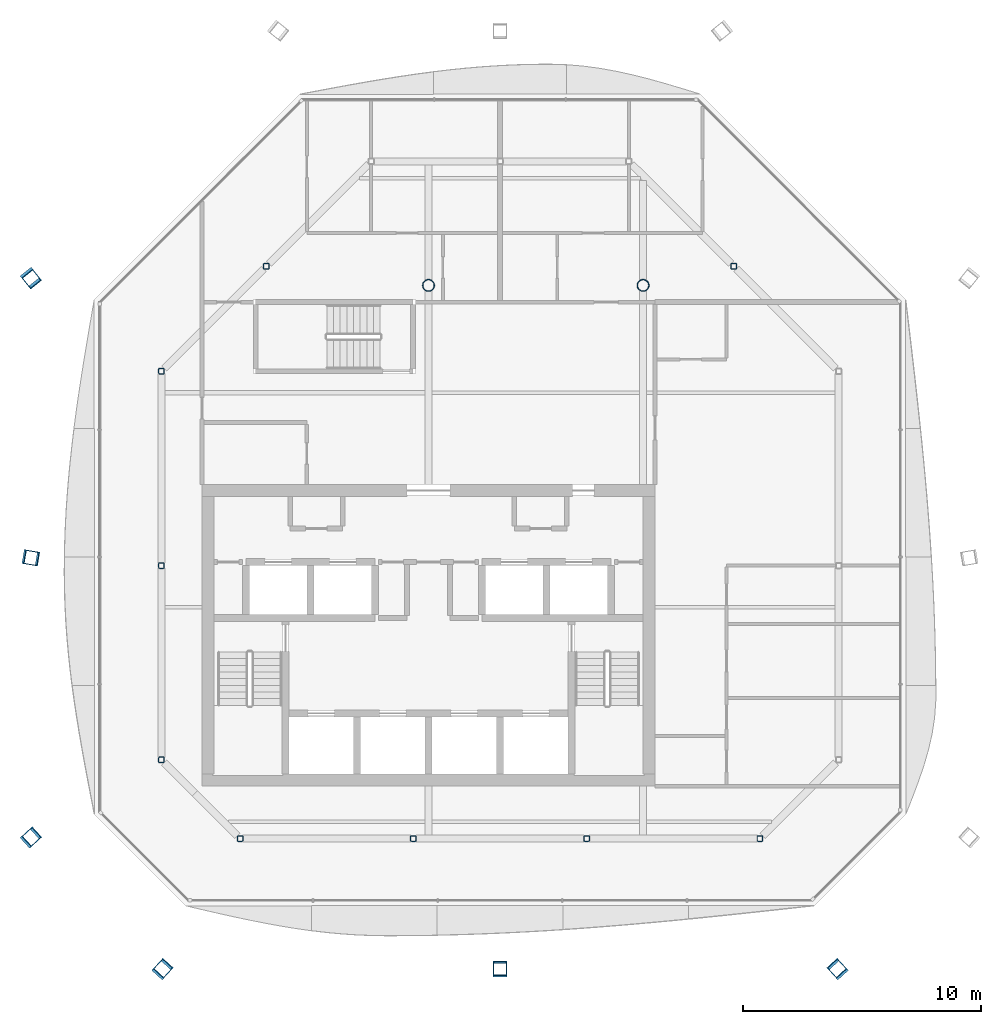
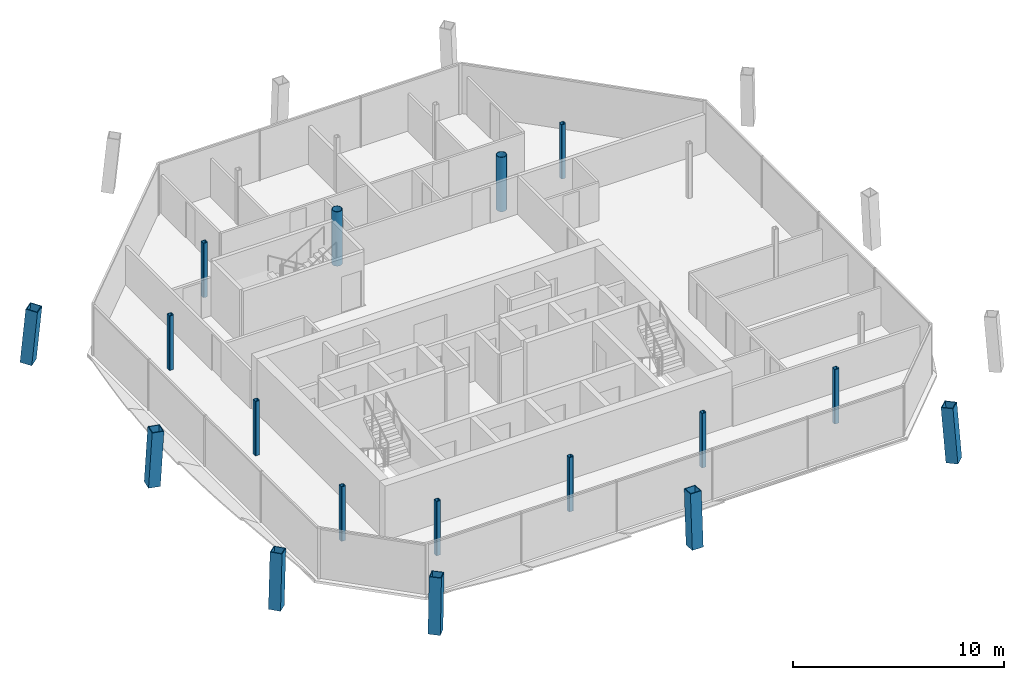
# One storey, part 1 of 16: 17 columns.
"""IFC4 building model written with IfcOpenShell, lengths in metres."""

from ifc_helpers import new_model, si_unit, direction, frame, origin, origin_2d, place, context, subcontext, project, spatial, hollow_rectangle, hollow_circle, extrude, material, material_profile, profile_set, type_object, element, save


model = new_model("IFC4")

# Units and contexts
model_context = context("Model", 3, precision=1e-05, world=origin(), true_north=direction((0.0, 1.0)))
body_context = subcontext(model_context, "Body", "Model", "MODEL_VIEW")
ifc_project = project(units=[si_unit("LENGTHUNIT", "METRE"), si_unit("AREAUNIT", "SQUARE_METRE"), si_unit("VOLUMEUNIT", "CUBIC_METRE"), si_unit("PLANEANGLEUNIT", "RADIAN"), si_unit("MASSUNIT", "GRAM", prefix="KILO")], contexts=[model_context])

# Site, building, storey
site_placement = place(None, origin())
site = spatial("IfcSite", under=ifc_project, at=site_placement, CompositionType="ELEMENT")
building_placement = place(site_placement, origin())
building = spatial("IfcBuilding", under=site, at=building_placement, Name="Tskaro Facet Tower", CompositionType="ELEMENT")
storey_placement = place(building_placement, frame((0.0, 0.0, 262.64990234375)))
storey = spatial("IfcBuildingStorey", under=building, at=storey_placement, Name="L69", CompositionType="ELEMENT", Elevation=262.64990234375)

# Columns
ifc_material_1 = material(Name="Steel S355J2", Category="steel")
ifc_material_profile_1 = material_profile(ifc_material_1, hollow_rectangle(XDim=0.60009765625, YDim=0.60009765625, WallThickness=0.0400390625, at=origin_2d()), Name="BOX 600x600x40")
ifc_profile_set_1 = profile_set([ifc_material_profile_1], Name="Steel S355J2")
column_type_1 = type_object("IfcColumnType", Name="BOX 600x600x40 mega column", PredefinedType="COLUMN", material=ifc_profile_set_1)
column_1_placement = place(storey_placement, frame((-11.18798828125, -19.7099609375, 0.0), z_axis=(0.052540625684, 0.057562891374, 0.996958372345), x_axis=(-0.73859280104, 0.674151818399, 0.0)))
element("IfcColumn", 1, at=column_1_placement, inside=storey, type_object=column_type_1, Name="BOX 600x600x40 MC01/6", PredefinedType="COLUMN", context=body_context, shape_type="SweptSolid", body=[
    extrude(hollow_rectangle(XDim=0.60009765625, YDim=0.60009765625, WallThickness=0.0400390625, at=origin_2d()), origin(), (0.0, 0.0, 1.0), 3.15966796875),
])
column_2_placement = place(storey_placement, frame((3.0, -19.7099609375, 0.0), z_axis=(0.0, 0.057642507929, 0.998337288335), x_axis=(-1.0, 0.0, 0.0)))
element("IfcColumn", 2, at=column_2_placement, inside=storey, type_object=column_type_1, Name="BOX 600x600x40 MC02/6", PredefinedType="COLUMN", context=body_context, shape_type="SweptSolid", body=[
    extrude(hollow_rectangle(XDim=0.60009765625, YDim=0.60009765625, WallThickness=0.0400390625, at=origin_2d()), origin(), (0.0, 0.0, 1.0), 3.1552734375),
])
column_3_placement = place(storey_placement, frame((17.18798828125, -19.7099609375, 0.0), z_axis=(-0.052540625684, 0.057562891374, 0.996958372345), x_axis=(-0.73859280104, -0.674151818399, 0.0)))
element("IfcColumn", 3, at=column_3_placement, inside=storey, type_object=column_type_1, Name="BOX 600x600x40 MC03/6", PredefinedType="COLUMN", context=body_context, shape_type="SweptSolid", body=[
    extrude(hollow_rectangle(XDim=0.60009765625, YDim=0.60009765625, WallThickness=0.0400390625, at=origin_2d()), origin(), (0.0, 0.0, 1.0), 3.15966796875),
])
column_4_placement = place(storey_placement, frame((-16.7099609375, 9.345947265625, 0.0), z_axis=(0.057493856374, -0.071770854266, 0.995762723221), x_axis=(0.780459274208, 0.625206622887, 0.0)))
element("IfcColumn", 4, at=column_4_placement, inside=storey, type_object=column_type_1, Name="BOX 600x600x40 MC10/6", PredefinedType="COLUMN", context=body_context, shape_type="SweptSolid", body=[
    extrude(hollow_rectangle(XDim=0.60009765625, YDim=0.60009765625, WallThickness=0.0400390625, at=origin_2d()), origin(), (0.0, 0.0, 1.0), 3.16357421875),
])
column_5_placement = place(storey_placement, frame((-16.7099609375, -2.4208984375, 0.0), z_axis=(0.057639725257, -0.009825832359, 0.998289093946), x_axis=(0.168045586056, 0.985779225287, 0.0)))
element("IfcColumn", 5, at=column_5_placement, inside=storey, type_object=column_type_1, Name="BOX 600x600x40 MC11/6", PredefinedType="COLUMN", context=body_context, shape_type="SweptSolid", body=[
    extrude(hollow_rectangle(XDim=0.60009765625, YDim=0.60009765625, WallThickness=0.0400390625, at=origin_2d()), origin(), (0.0, 0.0, 1.0), 3.155517578125),
])
column_6_placement = place(storey_placement, frame((-16.7099609375, -14.18798828125, 0.0), z_axis=(0.057562891374, 0.052540625684, 0.996958372345), x_axis=(-0.674151818399, 0.73859280104, 0.0)))
element("IfcColumn", 6, at=column_6_placement, inside=storey, type_object=column_type_1, Name="BOX 600x600x40 MC12/6", PredefinedType="COLUMN", context=body_context, shape_type="SweptSolid", body=[
    extrude(hollow_rectangle(XDim=0.60009765625, YDim=0.60009765625, WallThickness=0.0400390625, at=origin_2d()), origin(), (0.0, 0.0, 1.0), 3.15966796875),
])
ifc_material_2 = material(Name="Steel S355J2H", Category="steel")
ifc_material_profile_2 = material_profile(ifc_material_2, hollow_circle(Radius=0.25390625, WallThickness=0.02490234375, at=origin_2d()), Name="CHS 508x25")
ifc_profile_set_2 = profile_set([ifc_material_profile_2], Name="Steel S355J2H")
column_type_2 = type_object("IfcColumnType", Name="CHS 508x25 interior column", PredefinedType="COLUMN", material=ifc_profile_set_2)
for number, where, z_axis, x_axis, name in (
    (7, (0.0, 9.0, 0.0), (0.0, 0.0, 1.0), (1.0, 0.0, 0.0), "CHS 508x25 C4E/6"),
    (8, (9.0, 9.0, 0.0), (0.0, 0.0, 1.0), (1.0, 0.0, 0.0), "CHS 508x25 C5E/6"),
):
    element("IfcColumn", number, at=place(storey_placement, frame(where, z_axis=z_axis, x_axis=x_axis)), inside=storey, type_object=column_type_2, Name=name, PredefinedType="COLUMN", context=body_context, shape_type="SweptSolid", body=[
        extrude(hollow_circle(Radius=0.25390625, WallThickness=0.02490234375, at=origin_2d()), origin(), (0.0, 0.0, 1.0), 3.150146484375),
    ])
ifc_material_profile_3 = material_profile(ifc_material_2, hollow_rectangle(XDim=0.25, YDim=0.25, WallThickness=0.02001953125, InnerFilletRadius=0.030029296875, OuterFilletRadius=0.050048828125, at=origin_2d()), Name="SHS 250x250x20")
ifc_profile_set_3 = profile_set([ifc_material_profile_3], Name="Steel S355J2H")
column_type_3 = type_object("IfcColumnType", Name="SHS 250x250x20 ring column", PredefinedType="COLUMN", material=ifc_profile_set_3)
for number, where, z_axis, x_axis, name in (
    (9, (-7.903076171875, -14.199951171875, 0.0), (0.0, 0.0, 1.0), (1.0, 0.0, 0.0), "SHS 250x250x20 RS-1/6"),
    (10, (-0.634033203125, -14.199951171875, 0.0), (0.0, 0.0, 1.0), (1.0, 0.0, 0.0), "SHS 250x250x20 RS-2/6"),
    (11, (6.634033203125, -14.199951171875, 0.0), (0.0, 0.0, 1.0), (1.0, 0.0, 0.0), "SHS 250x250x20 RS-3/6"),
    (12, (13.903076171875, -14.199951171875, 0.0), (0.0, 0.0, 1.0), (1.0, 0.0, 0.0), "SHS 250x250x20 RSE-1/6"),
    (13, (12.802001953125, 9.802001953125, 0.0), (0.0, 0.0, 1.0), (1.0, 0.0, 0.0), "SHS 250x250x20 RNE-2/6"),
    (14, (-6.801025390625, 9.801025390625, 0.0), (0.0, 0.0, 1.0), (1.0, 0.0, 0.0), "SHS 250x250x20 RNW-2/6"),
    (15, (-11.199951171875, 5.403076171875, 0.0), (0.0, 0.0, 1.0), (1.0, 0.0, 0.0), "SHS 250x250x20 RW-1/6"),
    (16, (-11.199951171875, -2.75, 0.0), (0.0, 0.0, 1.0), (1.0, 0.0, 0.0), "SHS 250x250x20 RW-2/6"),
    (17, (-11.199951171875, -10.903076171875, 0.0), (0.0, 0.0, 1.0), (1.0, 0.0, 0.0), "SHS 250x250x20 RSW-1/6"),
):
    element("IfcColumn", number, at=place(storey_placement, frame(where, z_axis=z_axis, x_axis=x_axis)), inside=storey, type_object=column_type_3, Name=name, PredefinedType="COLUMN", context=body_context, shape_type="SweptSolid", body=[
        extrude(hollow_rectangle(XDim=0.25, YDim=0.25, WallThickness=0.02001953125, InnerFilletRadius=0.030029296875, OuterFilletRadius=0.050048828125, at=origin_2d()), origin(), (0.0, 0.0, 1.0), 3.150146484375),
    ])

save(model, "model.ifc")
